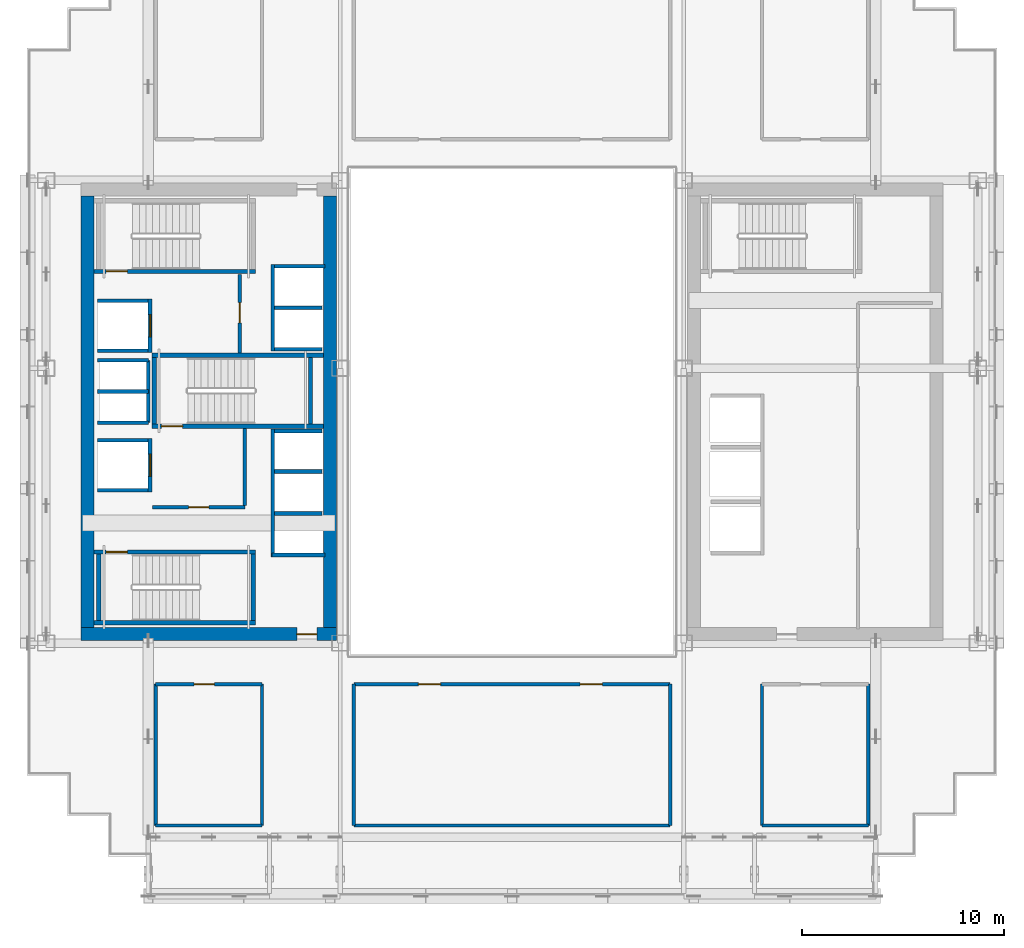
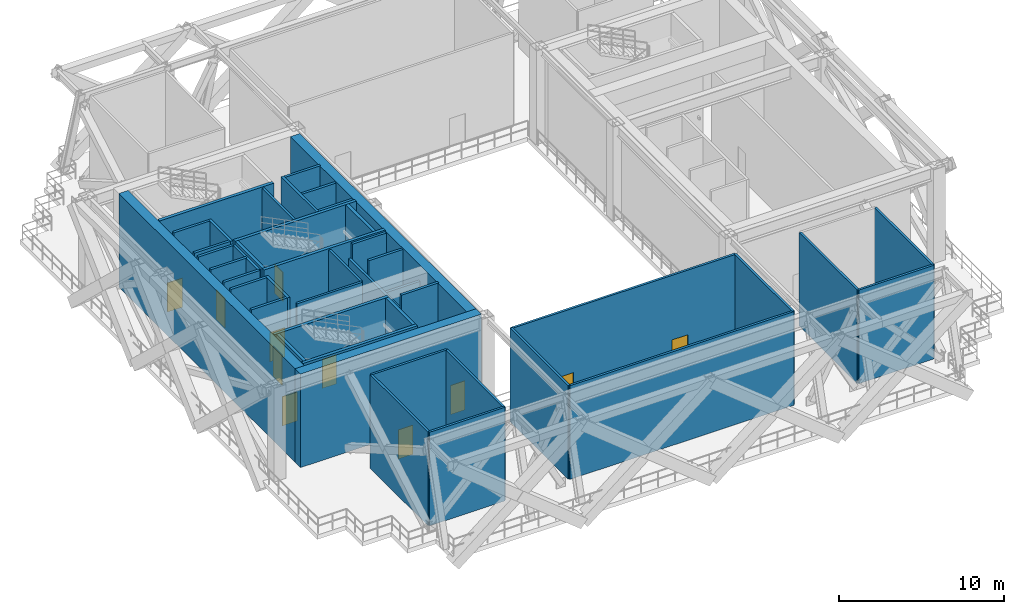
# One storey, part 7 of 14: 45 walls, 11 doors, 11 openings.
"""IFC4 building model written with IfcOpenShell, lengths in metres."""

from ifc_helpers import new_model, si_unit, direction, frame, frame_2d, origin, place, context, subcontext, project, spatial, rectangle, extrude, source, transform, mapped, material, layer, layer_set, type_object, element, fill, save


model = new_model("IFC4")

# Units and contexts
model_context = context("Model", 3, precision=1e-05, world=origin(), true_north=direction((0.0, 1.0)))
body_context = subcontext(model_context, "Body", "Model", "MODEL_VIEW")
ifc_project = project(units=[si_unit("LENGTHUNIT", "METRE"), si_unit("AREAUNIT", "SQUARE_METRE"), si_unit("VOLUMEUNIT", "CUBIC_METRE"), si_unit("PLANEANGLEUNIT", "RADIAN"), si_unit("MASSUNIT", "GRAM", prefix="KILO")], contexts=[model_context])

# Site, building, storey
site_placement = place(None, origin())
site = spatial("IfcSite", under=ifc_project, at=site_placement, CompositionType="ELEMENT")
building_placement = place(site_placement, origin())
building = spatial("IfcBuilding", under=site, at=building_placement, Name="Ocotamira Hotel", CompositionType="ELEMENT")
storey_placement = place(building_placement, frame((0.0, 0.0, 151.199951171875)))
storey = spatial("IfcBuildingStorey", under=building, at=storey_placement, Name="L38", CompositionType="ELEMENT", Elevation=151.199951171875)

# Wall, opening, door
ifc_material_1 = material(Name="Concrete C60/75", Category="concrete")
ifc_layer_1 = layer(ifc_material_1, 0.64990234375)
ifc_layer_set_1 = layer_set([ifc_layer_1], Name="Concrete C60/75")
wall_type_1 = type_object("IfcWallType", Name="WL-CORE-650", PredefinedType="SHEAR", material=ifc_layer_set_1)
wall_1_placement = place(storey_placement, frame((10.675048828125, 15.0, 0.0), z_axis=(0.0, 0.0, 1.0), x_axis=(1.0, 0.0, 0.0)))
wall_1 = element("IfcWall", 1, at=wall_1_placement, inside=storey, type_object=wall_type_1, Name="L38 Shear Core Wall WCORE-S", PredefinedType="SHEAR", context=body_context, shape_type="SweptSolid", body=[
    extrude(rectangle(XDim=12.64990234375, YDim=0.64990234375, at=frame_2d((6.324951171875, 0.0))), origin(), (0.0, 0.0, 1.0), 6.920166015625),
])
opening_1_placement = place(wall_1_placement, frame((10.675048828125, 0.0, 0.0)))
opening_1 = element("IfcOpeningElement", 2, at=opening_1_placement, cuts=wall_1, Name="Opening D-FR2", PredefinedType="OPENING", context=body_context, shape_type="SweptSolid", body=[
    extrude(rectangle(XDim=1.0, YDim=2.14990234375, at=frame_2d((0.5, 1.074951171875))), frame((0.0, 0.3349609375, 0.0), z_axis=(0.0, -1.0, 0.0), x_axis=(1.0, 0.0, 0.0)), (0.0, 0.0, 1.0), 0.669921875),
])
ifc_material_2 = material(Name="Fire-rated acoustic timber-veneer door", Category="wood")
door_type_1 = type_object("IfcDoorType", Name="DR-FIRE-1000", OperationType="NOTDEFINED", PredefinedType="DOOR", material=ifc_material_2)
shared_shape_1 = source(origin(), body_context, "Body", "SweptSolid", [
    extrude(rectangle(XDim=1.0, YDim=2.14990234375, at=frame_2d((0.5, 1.074951171875))), frame((0.0, 0.02490234375, 0.0), z_axis=(0.0, -1.0, 0.0), x_axis=(1.0, 0.0, 0.0)), (0.0, 0.0, 1.0), 0.050048828125),
])
door_1_placement = place(opening_1_placement, origin())
door_1 = element("IfcDoor", 3, at=door_1_placement, inside=storey, type_object=door_type_1, Name="L38 Door ID-L38-WLOB-S-D [ID-L38-WLOB-S-D]", OperationType="SINGLE_SWING_LEFT", OverallHeight=2.14990234375, OverallWidth=1.0, PredefinedType="DOOR", context=body_context, shape_type="MappedRepresentation", body=[
    mapped(shared_shape_1, transform((0.0, 0.0, 0.0), scale=1.0)),
])
fill(opening_1, door_1)

# Walls
for number, where, z_axis, x_axis, name in (
    (4, (11.0, 15.324951171875, 0.0), (0.0, 0.0, 1.0), (0.0, 1.0, 0.0), "L38 Shear Core Wall WCORE-W"),
    (5, (23.0, 15.324951171875, 0.0), (0.0, 0.0, 1.0), (0.0, 1.0, 0.0), "L38 Shear Core Wall WCORE-E"),
):
    element("IfcWall", number, at=place(storey_placement, frame(where, z_axis=z_axis, x_axis=x_axis)), inside=storey, type_object=wall_type_1, Name=name, PredefinedType="SHEAR", context=body_context, shape_type="SweptSolid", body=[
        extrude(rectangle(XDim=21.35009765625, YDim=0.64990234375, at=frame_2d((10.675048828125, 0.0))), origin(), (0.0, 0.0, 1.0), 6.920166015625),
    ])

# Wall, opening, door
ifc_material_3 = material(Name="Acoustic double-layer fire gypsum board partition", Category="gypsum")
ifc_layer_2 = layer(ifc_material_3, 0.159912109375)
ifc_layer_set_2 = layer_set([ifc_layer_2], Name="Acoustic double-layer fire gypsum board partition")
wall_type_2 = type_object("IfcWallType", Name="WL-FIRE-160", PredefinedType="PARTITIONING", material=ifc_layer_set_2)
wall_2_placement = place(storey_placement, frame((14.199951171875, 21.27001953125, 0.0), z_axis=(0.0, 0.0, 1.0), x_axis=(1.0, 0.0, 0.0)))
wall_2 = element("IfcWall", 6, at=wall_2_placement, inside=storey, type_object=wall_type_2, Name="L38 Interior Wall PW-L38-FSAE1-S", PredefinedType="PARTITIONING", context=body_context, shape_type="SweptSolid", body=[
    extrude(rectangle(XDim=4.580078125, YDim=0.159912109375, at=frame_2d((2.2900390625, 0.0))), origin(), (0.0, 0.0, 1.0), 6.920166015625),
])
opening_2_placement = place(wall_2_placement, frame((1.800048828125, 0.0, 0.0)))
opening_2 = element("IfcOpeningElement", 7, at=opening_2_placement, cuts=wall_2, Name="Opening D-FR2", PredefinedType="OPENING", context=body_context, shape_type="SweptSolid", body=[
    extrude(rectangle(XDim=1.0, YDim=2.14990234375, at=frame_2d((0.5, 1.074951171875))), frame((0.0, 0.08984375, 0.0), z_axis=(0.0, -1.0, 0.0), x_axis=(1.0, 0.0, 0.0)), (0.0, 0.0, 1.0), 0.179931640625),
])
door_2_placement = place(opening_2_placement, origin())
door_2 = element("IfcDoor", 8, at=door_2_placement, inside=storey, type_object=door_type_1, Name="L38 Door ID-L38-FSAE1-D [ID-L38-FSAE1-D]", OperationType="SINGLE_SWING_LEFT", OverallHeight=2.14990234375, OverallWidth=1.0, PredefinedType="DOOR", context=body_context, shape_type="MappedRepresentation", body=[
    mapped(shared_shape_1, transform((0.0, 0.0, 0.0), scale=1.0)),
])
fill(opening_2, door_2)

# Wall
wall_3_placement = place(storey_placement, frame((18.780029296875, 21.35009765625, 0.0), z_axis=(0.0, 0.0, 1.0), x_axis=(0.0, 1.0, 0.0)))
element("IfcWall", 9, at=wall_3_placement, inside=storey, type_object=wall_type_2, Name="L38 Interior Wall PW-L38-FSAE1-E", PredefinedType="PARTITIONING", context=body_context, shape_type="SweptSolid", body=[
    extrude(rectangle(XDim=3.809814453125, YDim=0.159912109375, at=frame_2d((1.90478515625, 0.0))), origin(), (0.0, 0.0, 1.0), 6.920166015625),
])

# Wall, opening, door
wall_4_placement = place(storey_placement, frame((18.530029296875, 28.89990234375, 0.0), z_axis=(0.0, 0.0, 1.0), x_axis=(0.0, 1.0, 0.0)))
wall_4 = element("IfcWall", 10, at=wall_4_placement, inside=storey, type_object=wall_type_2, Name="L38 Interior Wall PW-L38-FSAE2-E", PredefinedType="PARTITIONING", context=body_context, shape_type="SweptSolid", body=[
    extrude(rectangle(XDim=3.900146484375, YDim=0.159912109375, at=frame_2d((1.9501953125, 0.0))), origin(), (0.0, 0.0, 1.0), 6.920166015625),
])
opening_3_placement = place(wall_4_placement, frame((1.5, 0.0, 0.0)))
opening_3 = element("IfcOpeningElement", 11, at=opening_3_placement, cuts=wall_4, Name="Opening D-FR2", PredefinedType="OPENING", context=body_context, shape_type="SweptSolid", body=[
    extrude(rectangle(XDim=1.0, YDim=2.14990234375, at=frame_2d((0.5, 1.074951171875))), frame((0.0, 0.08984375, 0.0), z_axis=(0.0, -1.0, 0.0), x_axis=(1.0, 0.0, 0.0)), (0.0, 0.0, 1.0), 0.179931640625),
])
door_3_placement = place(opening_3_placement, origin())
door_3 = element("IfcDoor", 12, at=door_3_placement, inside=storey, type_object=door_type_1, Name="L38 Door ID-L38-FSAE2-D [ID-L38-FSAE2-D]", OperationType="SINGLE_SWING_RIGHT", OverallHeight=2.14990234375, OverallWidth=1.0, PredefinedType="DOOR", context=body_context, shape_type="MappedRepresentation", body=[
    mapped(shared_shape_1, transform((0.0, 0.0, 0.0), scale=1.0)),
])
fill(opening_3, door_3)

# Wall, openings, doors
wall_5_placement = place(storey_placement, frame((24.169921875, 12.52001953125, 0.0), z_axis=(0.0, 0.0, 1.0), x_axis=(1.0, 0.0, 0.0)))
wall_5 = element("IfcWall", 13, at=wall_5_placement, inside=storey, type_object=wall_type_2, Name="L38 Interior Wall PW-L38-L38-REFE-N", PredefinedType="PARTITIONING", context=body_context, shape_type="SweptSolid", body=[
    extrude(rectangle(XDim=15.66015625, YDim=0.159912109375, at=frame_2d((7.830078125, 0.0))), origin(), (0.0, 0.0, 1.0), 6.920166015625),
])
opening_4_placement = place(wall_5_placement, frame((3.199951171875, 0.0, 0.0)))
opening_4 = element("IfcOpeningElement", 14, at=opening_4_placement, cuts=wall_5, Name="Opening D-FR1", PredefinedType="OPENING", context=body_context, shape_type="SweptSolid", body=[
    extrude(rectangle(XDim=1.10009765625, YDim=2.14990234375, at=frame_2d((0.550048828125, 1.074951171875))), frame((0.0, 0.08984375, 0.0), z_axis=(0.0, -1.0, 0.0), x_axis=(1.0, 0.0, 0.0)), (0.0, 0.0, 1.0), 0.179931640625),
])
opening_5_placement = place(wall_5_placement, frame((11.199951171875, 0.0, 0.0)))
opening_5 = element("IfcOpeningElement", 15, at=opening_5_placement, cuts=wall_5, Name="Opening D-FR1", PredefinedType="OPENING", context=body_context, shape_type="SweptSolid", body=[
    extrude(rectangle(XDim=1.10009765625, YDim=2.14990234375, at=frame_2d((0.550048828125, 1.074951171875))), frame((0.0, 0.08984375, 0.0), z_axis=(0.0, -1.0, 0.0), x_axis=(1.0, 0.0, 0.0)), (0.0, 0.0, 1.0), 0.179931640625),
])
door_type_2 = type_object("IfcDoorType", Name="DR-FIRE-1100", OperationType="NOTDEFINED", PredefinedType="DOOR", material=ifc_material_2)
shared_shape_2 = source(origin(), body_context, "Body", "SweptSolid", [
    extrude(rectangle(XDim=1.10009765625, YDim=2.14990234375, at=frame_2d((0.550048828125, 1.074951171875))), frame((0.0, 0.02490234375, 0.0), z_axis=(0.0, -1.0, 0.0), x_axis=(1.0, 0.0, 0.0)), (0.0, 0.0, 1.0), 0.050048828125),
])
door_4_placement = place(opening_4_placement, origin())
door_4 = element("IfcDoor", 16, at=door_4_placement, inside=storey, type_object=door_type_2, Name="L38 Door ID-L38-L38-REFED1 [ID-L38-L38-REFED1]", OperationType="SINGLE_SWING_RIGHT", OverallHeight=2.14990234375, OverallWidth=1.10009765625, PredefinedType="DOOR", context=body_context, shape_type="MappedRepresentation", body=[
    mapped(shared_shape_2, transform((0.0, 0.0, 0.0), scale=1.0)),
])
fill(opening_4, door_4)
door_5_placement = place(opening_5_placement, origin())
door_5 = element("IfcDoor", 17, at=door_5_placement, inside=storey, type_object=door_type_2, Name="L38 Door ID-L38-L38-REFED2 [ID-L38-L38-REFED2]", OperationType="SINGLE_SWING_LEFT", OverallHeight=2.14990234375, OverallWidth=1.10009765625, PredefinedType="DOOR", context=body_context, shape_type="MappedRepresentation", body=[
    mapped(shared_shape_2, transform((0.0, 0.0, 0.0), scale=1.0)),
])
fill(opening_5, door_5)

# Walls
for number, where, z_axis, x_axis, name in (
    (18, (24.169921875, 5.52001953125, 0.0), (0.0, 0.0, 1.0), (0.0, 1.0, 0.0), "L38 Interior Wall PW-L38-L38-REFE-W"),
    (19, (39.830078125, 5.52001953125, 0.0), (0.0, 0.0, 1.0), (0.0, 1.0, 0.0), "L38 Interior Wall PW-L38-L38-REFE-E"),
):
    element("IfcWall", number, at=place(storey_placement, frame(where, z_axis=z_axis, x_axis=x_axis)), inside=storey, type_object=wall_type_2, Name=name, PredefinedType="PARTITIONING", context=body_context, shape_type="SweptSolid", body=[
        extrude(rectangle(XDim=7.0, YDim=0.159912109375, at=frame_2d((3.5, 0.0))), origin(), (0.0, 0.0, 1.0), 6.920166015625),
    ])
wall_6_placement = place(storey_placement, frame((24.169921875, 5.52001953125, 0.0), z_axis=(0.0, 0.0, 1.0), x_axis=(1.0, 0.0, 0.0)))
element("IfcWall", 20, at=wall_6_placement, inside=storey, type_object=wall_type_2, Name="L38 Interior Wall PW-L38-L38-REFE-S", PredefinedType="PARTITIONING", context=body_context, shape_type="SweptSolid", body=[
    extrude(rectangle(XDim=15.66015625, YDim=0.159912109375, at=frame_2d((7.830078125, 0.0))), origin(), (0.0, 0.0, 1.0), 6.920166015625),
])

# Wall, opening, door
wall_7_placement = place(storey_placement, frame((14.3701171875, 12.52001953125, 0.0), z_axis=(0.0, 0.0, 1.0), x_axis=(1.0, 0.0, 0.0)))
wall_7 = element("IfcWall", 21, at=wall_7_placement, inside=storey, type_object=wall_type_2, Name="L38 Interior Wall PW-L38-L38-CHILL-F", PredefinedType="PARTITIONING", context=body_context, shape_type="SweptSolid", body=[
    extrude(rectangle(XDim=5.259765625, YDim=0.159912109375, at=frame_2d((2.6298828125, 0.0))), origin(), (0.0, 0.0, 1.0), 6.920166015625),
])
opening_6_placement = place(wall_7_placement, frame((1.89990234375, 0.0, 0.0)))
opening_6 = element("IfcOpeningElement", 22, at=opening_6_placement, cuts=wall_7, Name="Opening D-FR2", PredefinedType="OPENING", context=body_context, shape_type="SweptSolid", body=[
    extrude(rectangle(XDim=1.0, YDim=2.14990234375, at=frame_2d((0.5, 1.074951171875))), frame((0.0, 0.08984375, 0.0), z_axis=(0.0, -1.0, 0.0), x_axis=(1.0, 0.0, 0.0)), (0.0, 0.0, 1.0), 0.179931640625),
])
door_6_placement = place(opening_6_placement, origin())
door_6 = element("IfcDoor", 23, at=door_6_placement, inside=storey, type_object=door_type_1, Name="L38 Door ID-L38-L38-CHILL-D [ID-L38-L38-CHILL-D]", OperationType="SINGLE_SWING_RIGHT", OverallHeight=2.14990234375, OverallWidth=1.0, PredefinedType="DOOR", context=body_context, shape_type="MappedRepresentation", body=[
    mapped(shared_shape_1, transform((0.0, 0.0, 0.0), scale=1.0)),
])
fill(opening_6, door_6)

# Walls
wall_8_placement = place(storey_placement, frame((14.3701171875, 5.52001953125, 0.0), z_axis=(0.0, 0.0, 1.0), x_axis=(1.0, 0.0, 0.0)))
element("IfcWall", 24, at=wall_8_placement, inside=storey, type_object=wall_type_2, Name="L38 Interior Wall PW-L38-L38-CHILL-B", PredefinedType="PARTITIONING", context=body_context, shape_type="SweptSolid", body=[
    extrude(rectangle(XDim=5.259765625, YDim=0.159912109375, at=frame_2d((2.6298828125, 0.0))), origin(), (0.0, 0.0, 1.0), 6.920166015625),
])
for number, where, z_axis, x_axis, name in (
    (25, (14.3701171875, 5.52001953125, 0.0), (0.0, 0.0, 1.0), (0.0, 1.0, 0.0), "L38 Interior Wall PW-L38-L38-CHILL-W"),
    (26, (19.6298828125, 5.52001953125, 0.0), (0.0, 0.0, 1.0), (0.0, 1.0, 0.0), "L38 Interior Wall PW-L38-L38-CHILL-E"),
):
    element("IfcWall", number, at=place(storey_placement, frame(where, z_axis=z_axis, x_axis=x_axis)), inside=storey, type_object=wall_type_2, Name=name, PredefinedType="PARTITIONING", context=body_context, shape_type="SweptSolid", body=[
        extrude(rectangle(XDim=7.0, YDim=0.159912109375, at=frame_2d((3.5, 0.0))), origin(), (0.0, 0.0, 1.0), 6.920166015625),
    ])
wall_9_placement = place(storey_placement, frame((44.3701171875, 5.52001953125, 0.0), z_axis=(0.0, 0.0, 1.0), x_axis=(1.0, 0.0, 0.0)))
element("IfcWall", 27, at=wall_9_placement, inside=storey, type_object=wall_type_2, Name="L38 Interior Wall PW-L38-L38-AHU-B", PredefinedType="PARTITIONING", context=body_context, shape_type="SweptSolid", body=[
    extrude(rectangle(XDim=5.259765625, YDim=0.159912109375, at=frame_2d((2.6298828125, 0.0))), origin(), (0.0, 0.0, 1.0), 6.920166015625),
])
for number, where, z_axis, x_axis, name in (
    (28, (44.3701171875, 5.52001953125, 0.0), (0.0, 0.0, 1.0), (0.0, 1.0, 0.0), "L38 Interior Wall PW-L38-L38-AHU-W"),
    (29, (49.6298828125, 5.52001953125, 0.0), (0.0, 0.0, 1.0), (0.0, 1.0, 0.0), "L38 Interior Wall PW-L38-L38-AHU-E"),
):
    element("IfcWall", number, at=place(storey_placement, frame(where, z_axis=z_axis, x_axis=x_axis)), inside=storey, type_object=wall_type_2, Name=name, PredefinedType="PARTITIONING", context=body_context, shape_type="SweptSolid", body=[
        extrude(rectangle(XDim=7.0, YDim=0.159912109375, at=frame_2d((3.5, 0.0))), origin(), (0.0, 0.0, 1.0), 6.920166015625),
    ])
ifc_material_4 = material(Name="Fire-rated gypsum shaftliner board assembly", Category="gypsum")
ifc_layer_3 = layer(ifc_material_4, 0.179931640625)
ifc_layer_set_3 = layer_set([ifc_layer_3], Name="Fire-rated gypsum shaftliner board assembly")
wall_type_3 = type_object("IfcWallType", Name="WL-SHAFT-180", PredefinedType="SOLIDWALL", material=ifc_layer_set_3)
wall_10_placement = place(storey_placement, frame((20.159912109375, 18.820068359375, 0.0), z_axis=(0.0, 0.0, 1.0), x_axis=(0.0, 1.0, 0.0)))
element("IfcWall", 30, at=wall_10_placement, inside=storey, type_object=wall_type_3, Name="L38 Interior Wall PW-L38-LFW-BANK-high-F", PredefinedType="SOLIDWALL", context=body_context, shape_type="SweptSolid", body=[
    extrude(rectangle(XDim=6.31982421875, YDim=0.179931640625, at=frame_2d((3.159912109375, 0.0))), origin(), (0.0, 0.0, 1.0), 5.820068359375),
])
wall_11_placement = place(storey_placement, frame((20.1201171875, 18.909912109375, 0.0), z_axis=(0.0, 0.0, 1.0), x_axis=(1.0, 0.0, 0.0)))
element("IfcWall", 31, at=wall_11_placement, inside=storey, type_object=wall_type_3, Name="L38 Interior Wall PW-L38-LFW-BANK-high-S", PredefinedType="SOLIDWALL", context=body_context, shape_type="SweptSolid", body=[
    extrude(rectangle(XDim=2.6298828125, YDim=0.179931640625, at=frame_2d((1.31494140625, 0.0))), origin(), (0.0, 0.0, 1.0), 6.920166015625),
])
wall_12_placement = place(storey_placement, frame((20.25, 25.050048828125, 0.0), z_axis=(0.0, 0.0, 1.0), x_axis=(1.0, 0.0, 0.0)))
element("IfcWall", 32, at=wall_12_placement, inside=storey, type_object=wall_type_3, Name="L38 Interior Wall PW-L38-LFW-BANK-high-N", PredefinedType="SOLIDWALL", context=body_context, shape_type="SweptSolid", body=[
    extrude(rectangle(XDim=2.360107421875, YDim=0.179931640625, at=frame_2d((1.18017578125, 0.0))), origin(), (0.0, 0.0, 1.0), 6.920166015625),
])
wall_13_placement = place(storey_placement, frame((20.25, 20.965087890625, 0.0), z_axis=(0.0, 0.0, 1.0), x_axis=(1.0, 0.0, 0.0)))
element("IfcWall", 33, at=wall_13_placement, inside=storey, type_object=wall_type_3, Name="L38 Interior Wall PW-L38-LFW-DIV-LF-P7", PredefinedType="SOLIDWALL", context=body_context, shape_type="SweptSolid", body=[
    extrude(rectangle(XDim=2.360107421875, YDim=0.179931640625, at=frame_2d((1.18017578125, 0.0))), origin(), (0.0, 0.0, 1.0), 5.820068359375),
])
wall_14_placement = place(storey_placement, frame((20.25, 23.044921875, 0.0), z_axis=(0.0, 0.0, 1.0), x_axis=(1.0, 0.0, 0.0)))
element("IfcWall", 34, at=wall_14_placement, inside=storey, type_object=wall_type_3, Name="L38 Interior Wall PW-L38-LFW-DIV-LF-P8", PredefinedType="SOLIDWALL", context=body_context, shape_type="SweptSolid", body=[
    extrude(rectangle(XDim=2.360107421875, YDim=0.179931640625, at=frame_2d((1.18017578125, 0.0))), origin(), (0.0, 0.0, 1.0), 6.920166015625),
])
wall_15_placement = place(storey_placement, frame((20.159912109375, 29.0, 0.0), z_axis=(0.0, 0.0, 1.0), x_axis=(0.0, 1.0, 0.0)))
element("IfcWall", 35, at=wall_15_placement, inside=storey, type_object=wall_type_3, Name="L38 Interior Wall PW-L38-LFW-BANK-obs-F", PredefinedType="SOLIDWALL", context=body_context, shape_type="SweptSolid", body=[
    extrude(rectangle(XDim=4.2900390625, YDim=0.179931640625, at=frame_2d((2.14501953125, 0.0))), origin(), (0.0, 0.0, 1.0), 6.920166015625),
])
wall_16_placement = place(storey_placement, frame((20.25, 29.090087890625, 0.0), z_axis=(0.0, 0.0, 1.0), x_axis=(1.0, 0.0, 0.0)))
element("IfcWall", 36, at=wall_16_placement, inside=storey, type_object=wall_type_3, Name="L38 Interior Wall PW-L38-LFW-BANK-obs-S", PredefinedType="SOLIDWALL", context=body_context, shape_type="SweptSolid", body=[
    extrude(rectangle(XDim=2.360107421875, YDim=0.179931640625, at=frame_2d((1.18017578125, 0.0))), origin(), (0.0, 0.0, 1.0), 6.920166015625),
])
wall_17_placement = place(storey_placement, frame((20.25, 33.199951171875, 0.0), z_axis=(0.0, 0.0, 1.0), x_axis=(1.0, 0.0, 0.0)))
element("IfcWall", 37, at=wall_17_placement, inside=storey, type_object=wall_type_3, Name="L38 Interior Wall PW-L38-LFW-BANK-obs-N", PredefinedType="SOLIDWALL", context=body_context, shape_type="SweptSolid", body=[
    extrude(rectangle(XDim=2.5, YDim=0.179931640625, at=frame_2d((1.25, 0.0))), origin(), (0.0, 0.0, 1.0), 6.920166015625),
])
wall_18_placement = place(storey_placement, frame((20.25, 31.14501953125, 0.0), z_axis=(0.0, 0.0, 1.0), x_axis=(1.0, 0.0, 0.0)))
element("IfcWall", 38, at=wall_18_placement, inside=storey, type_object=wall_type_3, Name="L38 Interior Wall PW-L38-LFW-DIV-LF-OBS1", PredefinedType="SOLIDWALL", context=body_context, shape_type="SweptSolid", body=[
    extrude(rectangle(XDim=2.360107421875, YDim=0.179931640625, at=frame_2d((1.18017578125, 0.0))), origin(), (0.0, 0.0, 1.0), 6.920166015625),
])
for number, where, z_axis, x_axis, name in (
    (39, (11.5, 22.110107421875, 0.0), (0.0, 0.0, 1.0), (1.0, 0.0, 0.0), "L38 Interior Wall PW-L38-LFW-LF-FSAE1-S"),
    (40, (11.5, 24.590087890625, 0.0), (0.0, 0.0, 1.0), (1.0, 0.0, 0.0), "L38 Interior Wall PW-L38-LFW-LF-FSAE1-N"),
):
    element("IfcWall", number, at=place(storey_placement, frame(where, z_axis=z_axis, x_axis=x_axis)), inside=storey, type_object=wall_type_3, Name=name, PredefinedType="SOLIDWALL", context=body_context, shape_type="SweptSolid", body=[
        extrude(rectangle(XDim=2.5, YDim=0.179931640625, at=frame_2d((1.25, 0.0))), origin(), (0.0, 0.0, 1.0), 6.920166015625),
    ])

# Wall, opening, door
wall_19_placement = place(storey_placement, frame((14.090087890625, 22.02001953125, 0.0), z_axis=(0.0, 0.0, 1.0), x_axis=(0.0, 1.0, 0.0)))
wall_19 = element("IfcWall", 41, at=wall_19_placement, inside=storey, type_object=wall_type_3, Name="L38 Interior Wall PW-L38-LFW-LF-FSAE1-E", PredefinedType="SOLIDWALL", context=body_context, shape_type="SweptSolid", body=[
    extrude(rectangle(XDim=2.659912109375, YDim=0.179931640625, at=frame_2d((1.330078125, 0.0))), origin(), (0.0, 0.0, 1.0), 6.920166015625),
])
opening_7_placement = place(wall_19_placement, frame((0.780029296875, 0.0, 0.0)))
opening_7 = element("IfcOpeningElement", 42, at=opening_7_placement, cuts=wall_19, Name="Opening LD-LF-FSAE1", PredefinedType="OPENING", context=body_context, shape_type="SweptSolid", body=[
    extrude(rectangle(XDim=1.10009765625, YDim=2.199951171875, at=frame_2d((0.550048828125, 1.10009765625))), frame((0.0, 0.10009765625, 0.0), z_axis=(0.0, -1.0, 0.0), x_axis=(1.0, 0.0, 0.0)), (0.0, 0.0, 1.0), 0.199951171875),
])
ifc_material_5 = material(Name="Brushed pale-metal stainless elevator landing door", Category="steel")
door_type_3 = type_object("IfcDoorType", Name="DR-LIFT-1100", OperationType="NOTDEFINED", PredefinedType="DOOR", material=ifc_material_5)
shared_shape_3 = source(origin(), body_context, "Body", "SweptSolid", [
    extrude(rectangle(XDim=1.10009765625, YDim=2.199951171875, at=frame_2d((0.550048828125, 1.10009765625))), frame((0.0, 0.02490234375, 0.0), z_axis=(0.0, -1.0, 0.0), x_axis=(1.0, 0.0, 0.0)), (0.0, 0.0, 1.0), 0.050048828125),
])
door_7_placement = place(opening_7_placement, origin())
door_7 = element("IfcDoor", 43, at=door_7_placement, inside=storey, type_object=door_type_3, Name="L38 Landing Door LD-LF-FSAE1 [ID-L38-LD-LF-FSAE1]", OperationType="DOUBLE_DOOR_SLIDING", OverallHeight=2.199951171875, OverallWidth=1.10009765625, PredefinedType="DOOR", context=body_context, shape_type="MappedRepresentation", body=[
    mapped(shared_shape_3, transform((0.0, 0.0, 0.0), scale=1.0)),
])
fill(opening_7, door_7)

# Walls
for number, where, z_axis, x_axis, name in (
    (44, (11.5, 29.010009765625, 0.0), (0.0, 0.0, 1.0), (1.0, 0.0, 0.0), "L38 Interior Wall PW-L38-LFW-LF-FSAE2-S"),
    (45, (11.5, 31.489990234375, 0.0), (0.0, 0.0, 1.0), (1.0, 0.0, 0.0), "L38 Interior Wall PW-L38-LFW-LF-FSAE2-N"),
):
    element("IfcWall", number, at=place(storey_placement, frame(where, z_axis=z_axis, x_axis=x_axis)), inside=storey, type_object=wall_type_3, Name=name, PredefinedType="SOLIDWALL", context=body_context, shape_type="SweptSolid", body=[
        extrude(rectangle(XDim=2.5, YDim=0.179931640625, at=frame_2d((1.25, 0.0))), origin(), (0.0, 0.0, 1.0), 6.920166015625),
    ])

# Wall, opening, door
wall_20_placement = place(storey_placement, frame((14.090087890625, 28.919921875, 0.0), z_axis=(0.0, 0.0, 1.0), x_axis=(0.0, 1.0, 0.0)))
wall_20 = element("IfcWall", 46, at=wall_20_placement, inside=storey, type_object=wall_type_3, Name="L38 Interior Wall PW-L38-LFW-LF-FSAE2-E", PredefinedType="SOLIDWALL", context=body_context, shape_type="SweptSolid", body=[
    extrude(rectangle(XDim=2.66015625, YDim=0.179931640625, at=frame_2d((1.330078125, 0.0))), origin(), (0.0, 0.0, 1.0), 6.920166015625),
])
opening_8_placement = place(wall_20_placement, frame((0.780029296875, 0.0, 0.0)))
opening_8 = element("IfcOpeningElement", 47, at=opening_8_placement, cuts=wall_20, Name="Opening LD-LF-FSAE2", PredefinedType="OPENING", context=body_context, shape_type="SweptSolid", body=[
    extrude(rectangle(XDim=1.10009765625, YDim=2.199951171875, at=frame_2d((0.550048828125, 1.10009765625))), frame((0.0, 0.10009765625, 0.0), z_axis=(0.0, -1.0, 0.0), x_axis=(1.0, 0.0, 0.0)), (0.0, 0.0, 1.0), 0.199951171875),
])
door_8_placement = place(opening_8_placement, origin())
door_8 = element("IfcDoor", 48, at=door_8_placement, inside=storey, type_object=door_type_3, Name="L38 Landing Door LD-LF-FSAE2 [ID-L38-LD-LF-FSAE2]", OperationType="DOUBLE_DOOR_SLIDING", OverallHeight=2.199951171875, OverallWidth=1.10009765625, PredefinedType="DOOR", context=body_context, shape_type="MappedRepresentation", body=[
    mapped(shared_shape_3, transform((0.0, 0.0, 0.0), scale=1.0)),
])
fill(opening_8, door_8)

# Walls
for number, where, z_axis, x_axis, name in (
    (49, (11.5, 25.4599609375, 0.0), (0.0, 0.0, 1.0), (1.0, 0.0, 0.0), "L38 Interior Wall PW-L38-RSW-S"),
    (50, (11.5, 27.0, 0.0), (0.0, 0.0, 1.0), (1.0, 0.0, 0.0), "L38 Interior Wall PW-L38-RSW-MID"),
    (51, (11.5, 28.5400390625, 0.0), (0.0, 0.0, 1.0), (1.0, 0.0, 0.0), "L38 Interior Wall PW-L38-RSW-N"),
):
    element("IfcWall", number, at=place(storey_placement, frame(where, z_axis=z_axis, x_axis=x_axis)), inside=storey, type_object=wall_type_3, Name=name, PredefinedType="SOLIDWALL", context=body_context, shape_type="SweptSolid", body=[
        extrude(rectangle(XDim=2.510009765625, YDim=0.179931640625, at=frame_2d((1.2548828125, 0.0))), origin(), (0.0, 0.0, 1.0), 6.920166015625),
    ])
wall_21_placement = place(storey_placement, frame((14.010009765625, 25.4599609375, 0.0), z_axis=(0.0, 0.0, 1.0), x_axis=(0.0, 1.0, 0.0)))
element("IfcWall", 52, at=wall_21_placement, inside=storey, type_object=wall_type_3, Name="L38 Interior Wall PW-L38-RSW-E", PredefinedType="SOLIDWALL", context=body_context, shape_type="SweptSolid", body=[
    extrude(rectangle(XDim=3.080078125, YDim=0.179931640625, at=frame_2d((1.5400390625, 0.0))), origin(), (0.0, 0.0, 1.0), 6.920166015625),
])
ifc_material_6 = material(Name="Concrete C50/60", Category="concrete")
ifc_layer_4 = layer(ifc_material_6, 0.219970703125)
ifc_layer_set_4 = layer_set([ifc_layer_4], Name="Concrete C50/60")
wall_type_4 = type_object("IfcWallType", Name="WL-STAIR-220", PredefinedType="SHEAR", material=ifc_layer_set_4)
wall_22_placement = place(storey_placement, frame((11.324951171875, 15.56005859375, 0.0), z_axis=(0.0, 0.0, 1.0), x_axis=(1.0, 0.0, 0.0)))
element("IfcWall", 53, at=wall_22_placement, inside=storey, type_object=wall_type_4, Name="L38 Stair Shaft Structural Wall ST-1-S", PredefinedType="SHEAR", context=body_context, shape_type="SweptSolid", body=[
    extrude(rectangle(XDim=7.985107421875, YDim=0.219970703125, at=frame_2d((3.99267578125, 0.0))), origin(), (0.0, 0.0, 1.0), 7.0),
])

# Wall, opening, door
wall_23_placement = place(storey_placement, frame((11.324951171875, 19.06005859375, 0.0), z_axis=(0.0, 0.0, 1.0), x_axis=(1.0, 0.0, 0.0)))
wall_23 = element("IfcWall", 54, at=wall_23_placement, inside=storey, type_object=wall_type_4, Name="L38 Stair Shaft Structural Wall ST-1-N", PredefinedType="SHEAR", context=body_context, shape_type="SweptSolid", body=[
    extrude(rectangle(XDim=7.985107421875, YDim=0.219970703125, at=frame_2d((3.99267578125, 0.0))), origin(), (0.0, 0.0, 1.0), 7.0),
])
opening_9_placement = place(wall_23_placement, frame((0.594970703125, 0.0, 0.0)))
opening_9 = element("IfcOpeningElement", 55, at=opening_9_placement, cuts=wall_23, Name="Opening D-ST2", PredefinedType="OPENING", context=body_context, shape_type="SweptSolid", body=[
    extrude(rectangle(XDim=1.050048828125, YDim=2.14990234375, at=frame_2d((0.52490234375, 1.074951171875))), frame((0.0, 0.1201171875, 0.0), z_axis=(0.0, -1.0, 0.0), x_axis=(1.0, 0.0, 0.0)), (0.0, 0.0, 1.0), 0.239990234375),
])
ifc_material_7 = material(Name="Insulated painted hollow-metal fire exit door", Category="steel")
door_type_4 = type_object("IfcDoorType", Name="DR-STAIR-1050", OperationType="NOTDEFINED", PredefinedType="DOOR", material=ifc_material_7)
shared_shape_4 = source(origin(), body_context, "Body", "SweptSolid", [
    extrude(rectangle(XDim=1.050048828125, YDim=2.14990234375, at=frame_2d((0.52490234375, 1.074951171875))), frame((0.0, 0.02490234375, 0.0), z_axis=(0.0, -1.0, 0.0), x_axis=(1.0, 0.0, 0.0)), (0.0, 0.0, 1.0), 0.050048828125),
])
door_9_placement = place(opening_9_placement, origin())
door_9 = element("IfcDoor", 56, at=door_9_placement, inside=storey, type_object=door_type_4, Name="L38 Door ID-L38-STD-ST-1 [ID-L38-STD-ST-1]", OperationType="SINGLE_SWING_LEFT", OverallHeight=2.14990234375, OverallWidth=1.050048828125, PredefinedType="DOOR", context=body_context, shape_type="MappedRepresentation", body=[
    mapped(shared_shape_4, transform((0.0, 0.0, 0.0), scale=1.0)),
])
fill(opening_9, door_9)

# Walls
for number, where, z_axis, x_axis, name in (
    (57, (11.56005859375, 15.669921875, 0.0), (0.0, 0.0, 1.0), (0.0, 1.0, 0.0), "L38 Stair Shaft Structural Wall ST-1-W"),
    (58, (19.199951171875, 15.669921875, 0.0), (0.0, 0.0, 1.0), (0.0, 1.0, 0.0), "L38 Stair Shaft Structural Wall ST-1-E"),
):
    element("IfcWall", number, at=place(storey_placement, frame(where, z_axis=z_axis, x_axis=x_axis)), inside=storey, type_object=wall_type_4, Name=name, PredefinedType="SHEAR", context=body_context, shape_type="SweptSolid", body=[
        extrude(rectangle(XDim=3.280029296875, YDim=0.219970703125, at=frame_2d((1.64013671875, 0.0))), origin(), (0.0, 0.0, 1.0), 7.0),
    ])

# Wall, opening, door
wall_24_placement = place(storey_placement, frame((11.324951171875, 32.93994140625, 0.0), z_axis=(0.0, 0.0, 1.0), x_axis=(1.0, 0.0, 0.0)))
wall_24 = element("IfcWall", 59, at=wall_24_placement, inside=storey, type_object=wall_type_4, Name="L38 Stair Shaft Structural Wall ST-2-S", PredefinedType="SHEAR", context=body_context, shape_type="SweptSolid", body=[
    extrude(rectangle(XDim=7.985107421875, YDim=0.219970703125, at=frame_2d((3.99267578125, 0.0))), origin(), (0.0, 0.0, 1.0), 7.0),
])
opening_10_placement = place(wall_24_placement, frame((0.594970703125, 0.0, 0.0)))
opening_10 = element("IfcOpeningElement", 60, at=opening_10_placement, cuts=wall_24, Name="Opening D-ST2", PredefinedType="OPENING", context=body_context, shape_type="SweptSolid", body=[
    extrude(rectangle(XDim=1.050048828125, YDim=2.14990234375, at=frame_2d((0.52490234375, 1.074951171875))), frame((0.0, 0.1201171875, 0.0), z_axis=(0.0, -1.0, 0.0), x_axis=(1.0, 0.0, 0.0)), (0.0, 0.0, 1.0), 0.239990234375),
])
door_10_placement = place(opening_10_placement, origin())
door_10 = element("IfcDoor", 61, at=door_10_placement, inside=storey, type_object=door_type_4, Name="L38 Door ID-L38-STD-ST-2 [ID-L38-STD-ST-2]", OperationType="SINGLE_SWING_RIGHT", OverallHeight=2.14990234375, OverallWidth=1.050048828125, PredefinedType="DOOR", context=body_context, shape_type="MappedRepresentation", body=[
    mapped(shared_shape_4, transform((0.0, 0.0, 0.0), scale=1.0)),
])
fill(opening_10, door_10)

wall_25_placement = place(storey_placement, frame((14.179931640625, 25.2900390625, 0.0), z_axis=(0.0, 0.0, 1.0), x_axis=(1.0, 0.0, 0.0)))
wall_25 = element("IfcWall", 62, at=wall_25_placement, inside=storey, type_object=wall_type_4, Name="L38 Stair Shaft Structural Wall ST-3-S", PredefinedType="SHEAR", context=body_context, shape_type="SweptSolid", body=[
    extrude(rectangle(XDim=8.4951171875, YDim=0.219970703125, at=frame_2d((4.24755859375, 0.0))), origin(), (0.0, 0.0, 1.0), 7.0),
])
opening_11_placement = place(wall_25_placement, frame((0.469970703125, 0.0, 0.0)))
opening_11 = element("IfcOpeningElement", 63, at=opening_11_placement, cuts=wall_25, Name="Opening D-ST2", PredefinedType="OPENING", context=body_context, shape_type="SweptSolid", body=[
    extrude(rectangle(XDim=1.050048828125, YDim=2.14990234375, at=frame_2d((0.52490234375, 1.074951171875))), frame((0.0, 0.1201171875, 0.0), z_axis=(0.0, -1.0, 0.0), x_axis=(1.0, 0.0, 0.0)), (0.0, 0.0, 1.0), 0.239990234375),
])
door_11_placement = place(opening_11_placement, origin())
door_11 = element("IfcDoor", 64, at=door_11_placement, inside=storey, type_object=door_type_4, Name="L38 Door ID-L38-STD-ST-3 [ID-L38-STD-ST-3]", OperationType="SINGLE_SWING_LEFT", OverallHeight=2.14990234375, OverallWidth=1.050048828125, PredefinedType="DOOR", context=body_context, shape_type="MappedRepresentation", body=[
    mapped(shared_shape_4, transform((0.0, 0.0, 0.0), scale=1.0)),
])
fill(opening_11, door_11)

# Walls
wall_26_placement = place(storey_placement, frame((14.179931640625, 28.7900390625, 0.0), z_axis=(0.0, 0.0, 1.0), x_axis=(1.0, 0.0, 0.0)))
element("IfcWall", 65, at=wall_26_placement, inside=storey, type_object=wall_type_4, Name="L38 Stair Shaft Structural Wall ST-3-N", PredefinedType="SHEAR", context=body_context, shape_type="SweptSolid", body=[
    extrude(rectangle(XDim=8.4951171875, YDim=0.219970703125, at=frame_2d((4.24755859375, 0.0))), origin(), (0.0, 0.0, 1.0), 7.0),
])
for number, where, z_axis, x_axis, name in (
    (66, (14.2900390625, 25.39990234375, 0.0), (0.0, 0.0, 1.0), (0.0, 1.0, 0.0), "L38 Stair Shaft Structural Wall ST-3-W"),
    (67, (22.030029296875, 25.39990234375, 0.0), (0.0, 0.0, 1.0), (0.0, 1.0, 0.0), "L38 Stair Shaft Structural Wall ST-3-E"),
):
    element("IfcWall", number, at=place(storey_placement, frame(where, z_axis=z_axis, x_axis=x_axis)), inside=storey, type_object=wall_type_4, Name=name, PredefinedType="SHEAR", context=body_context, shape_type="SweptSolid", body=[
        extrude(rectangle(XDim=3.280029296875, YDim=0.219970703125, at=frame_2d((1.64013671875, 0.0))), origin(), (0.0, 0.0, 1.0), 7.0),
    ])

save(model, "model.ifc")
